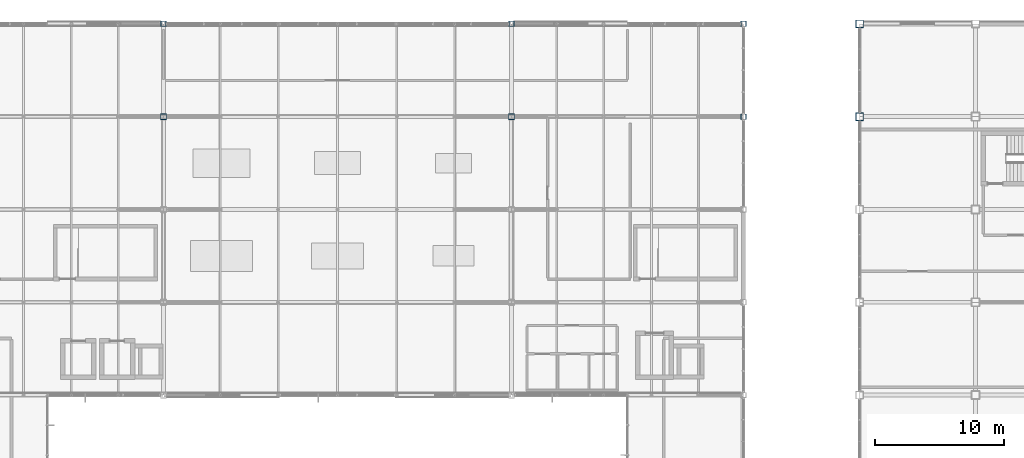
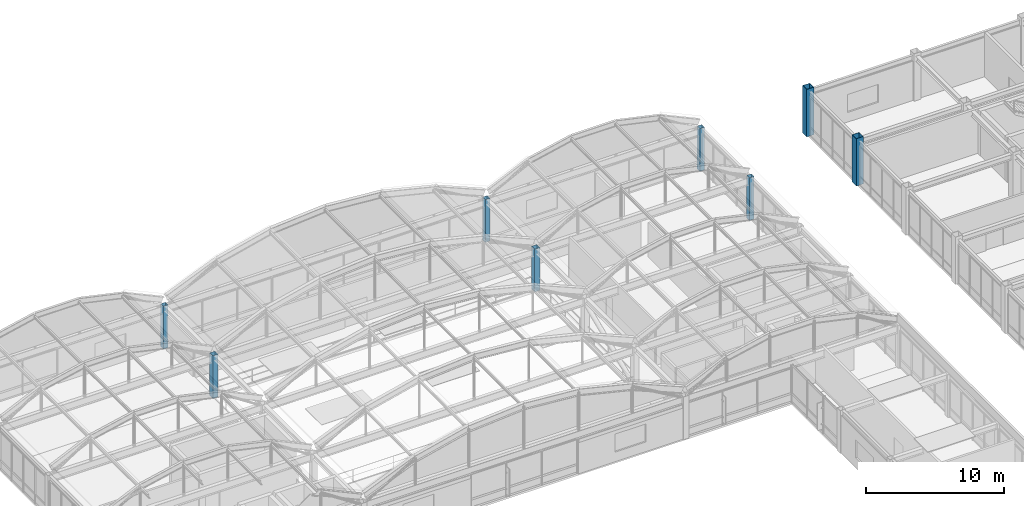
# One storey, part 6 of 106: 8 columns.
"""IFC4 building model written with IfcOpenShell, lengths in metres."""

from ifc_helpers import new_model, si_unit, direction, frame, origin, origin_2d, place, context, subcontext, project, spatial, hollow_rectangle, extrude, material, material_profile, profile_set, type_object, element, save


model = new_model("IFC4")

# Units and contexts
model_context = context("Model", 3, precision=1e-05, world=origin(), true_north=direction((0.0, 1.0)))
body_context = subcontext(model_context, "Body", "Model", "MODEL_VIEW")
ifc_project = project(units=[si_unit("LENGTHUNIT", "METRE"), si_unit("AREAUNIT", "SQUARE_METRE"), si_unit("VOLUMEUNIT", "CUBIC_METRE"), si_unit("PLANEANGLEUNIT", "RADIAN"), si_unit("MASSUNIT", "GRAM", prefix="KILO")], contexts=[model_context])

# Site, building, storey
site_placement = place(None, origin())
site = spatial("IfcSite", under=ifc_project, at=site_placement, CompositionType="ELEMENT")
building_placement = place(site_placement, origin())
building = spatial("IfcBuilding", under=site, at=building_placement, Name="Kazanami Central Library", CompositionType="ELEMENT")
storey_placement = place(building_placement, frame((0.0, 0.0, 12.800048828125)))
storey = spatial("IfcBuildingStorey", under=building, at=storey_placement, Name="L04", CompositionType="ELEMENT", Elevation=12.800048828125)

# Columns
ifc_material = material(Name="Steel BCP325 (325 MPa)", Category="steel")
ifc_material_profile_1 = material_profile(ifc_material, hollow_rectangle(XDim=0.39990234375, YDim=0.39990234375, WallThickness=0.01611328125, at=origin_2d()), Name="BCP-400x400x16")
ifc_profile_set_1 = profile_set([ifc_material_profile_1], Name="Steel BCP325 (325 MPa)")
column_type_1 = type_object("IfcColumnType", Name="COL-C-P3E", PredefinedType="COLUMN", material=ifc_profile_set_1)
for number, where, z_axis, x_axis, name in (
    (1, (63.0, 93.60009765625, 0.0), (0.0, 0.0, 1.0), (1.0, 0.0, 0.0), "Column C-P3E L04 8/O"),
    (2, (90.0, 93.60009765625, 0.0), (0.0, 0.0, 1.0), (1.0, 0.0, 0.0), "Column C-P3E L04 11/O"),
    (3, (108.0, 86.39990234375, 0.0), (0.0, 0.0, 1.0), (1.0, 0.0, 0.0), "Column C-P3E L04 13/N"),
    (4, (108.0, 93.60009765625, 0.0), (0.0, 0.0, 1.0), (1.0, 0.0, 0.0), "Column C-P3E L04 13/O"),
):
    element("IfcColumn", number, at=place(storey_placement, frame(where, z_axis=z_axis, x_axis=x_axis)), inside=storey, type_object=column_type_1, Name=name, PredefinedType="COLUMN", context=body_context, shape_type="SweptSolid", body=[
        extrude(hollow_rectangle(XDim=0.39990234375, YDim=0.39990234375, WallThickness=0.01611328125, at=origin_2d()), origin(), (0.0, 0.0, 1.0), 3.780029296875),
    ])
ifc_material_profile_2 = material_profile(ifc_material, hollow_rectangle(XDim=0.449951171875, YDim=0.449951171875, WallThickness=0.01904296875, at=origin_2d()), Name="BCP-450x450x19")
ifc_profile_set_2 = profile_set([ifc_material_profile_2], Name="Steel BCP325 (325 MPa)")
column_type_2 = type_object("IfcColumnType", Name="COL-C-P3I", PredefinedType="COLUMN", material=ifc_profile_set_2)
for number, where, z_axis, x_axis, name in (
    (5, (63.0, 86.39990234375, 0.0), (0.0, 0.0, 1.0), (1.0, 0.0, 0.0), "Column C-P3I L04 8/N"),
    (6, (90.0, 86.39990234375, 0.0), (0.0, 0.0, 1.0), (1.0, 0.0, 0.0), "Column C-P3I L04 11/N"),
):
    element("IfcColumn", number, at=place(storey_placement, frame(where, z_axis=z_axis, x_axis=x_axis)), inside=storey, type_object=column_type_2, Name=name, PredefinedType="COLUMN", context=body_context, shape_type="SweptSolid", body=[
        extrude(hollow_rectangle(XDim=0.449951171875, YDim=0.449951171875, WallThickness=0.01904296875, at=origin_2d()), origin(), (0.0, 0.0, 1.0), 3.780029296875),
    ])
ifc_material_profile_3 = material_profile(ifc_material, hollow_rectangle(XDim=0.60009765625, YDim=0.60009765625, WallThickness=0.02490234375, at=origin_2d()), Name="BCP-600x600x25")
ifc_profile_set_3 = profile_set([ifc_material_profile_3], Name="Steel BCP325 (325 MPa)")
column_type_3 = type_object("IfcColumnType", Name="COL-C-T2P", PredefinedType="COLUMN", material=ifc_profile_set_3)
for number, where, z_axis, x_axis, name in (
    (7, (117.0, 86.39990234375, 0.0), (0.0, 0.0, 1.0), (1.0, 0.0, 0.0), "Column C-T2P L04 14/N"),
    (8, (117.0, 93.60009765625, 0.0), (0.0, 0.0, 1.0), (1.0, 0.0, 0.0), "Column C-T2P L04 14/O"),
):
    element("IfcColumn", number, at=place(storey_placement, frame(where, z_axis=z_axis, x_axis=x_axis)), inside=storey, type_object=column_type_3, Name=name, PredefinedType="COLUMN", context=body_context, shape_type="SweptSolid", body=[
        extrude(hollow_rectangle(XDim=0.60009765625, YDim=0.60009765625, WallThickness=0.02490234375, at=origin_2d()), origin(), (0.0, 0.0, 1.0), 4.199951171875),
    ])

save(model, "model.ifc")
